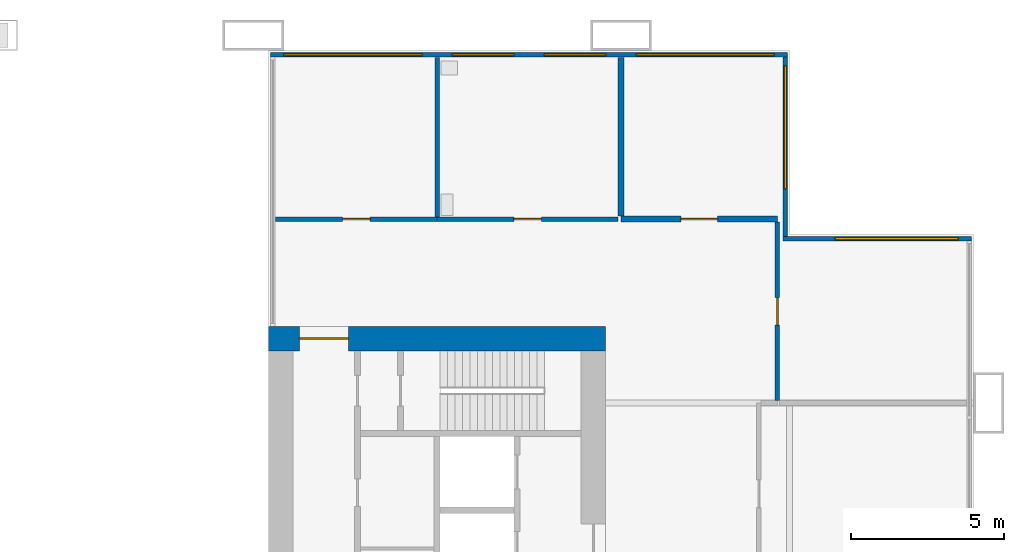
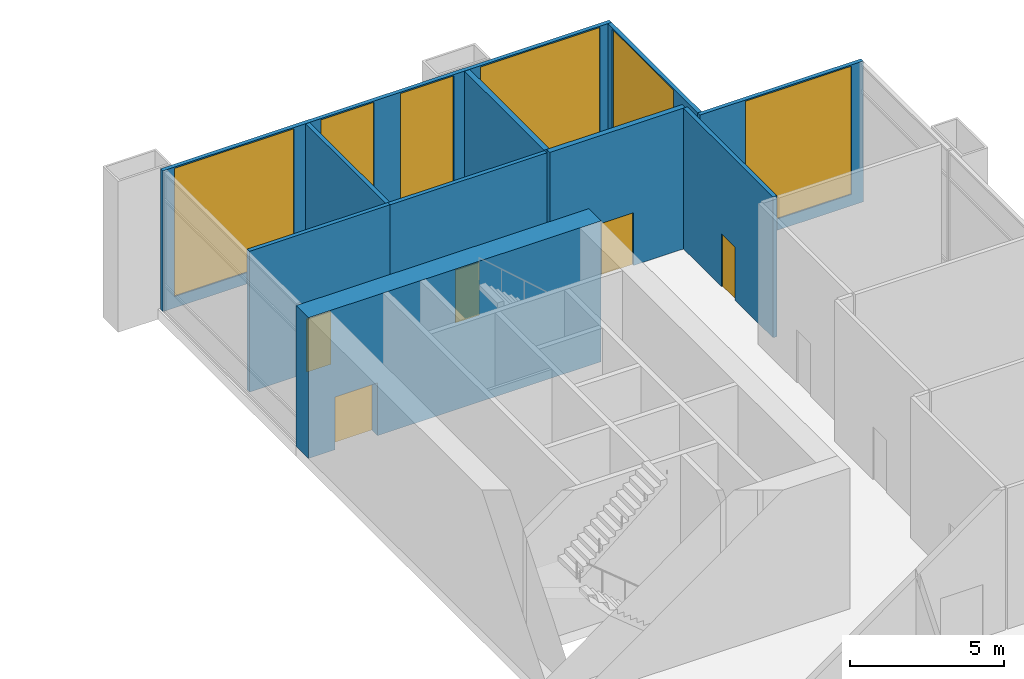
# One storey, part 22 of 25: 10 walls, 6 windows, 5 doors, 11 openings.
"""IFC4 building model written with IfcOpenShell, lengths in metres."""

from ifc_helpers import new_model, si_unit, direction, frame, frame_2d, origin, place, context, subcontext, project, spatial, rectangle, extrude, material, layer, layer_set, type_object, element, fill, save


model = new_model("IFC4")

# Units and contexts
model_context = context("Model", 3, precision=1e-05, world=origin(), true_north=direction((0.0, 1.0)))
body_context = subcontext(model_context, "Body", "Model", "MODEL_VIEW")
ifc_project = project(units=[si_unit("LENGTHUNIT", "METRE"), si_unit("AREAUNIT", "SQUARE_METRE"), si_unit("VOLUMEUNIT", "CUBIC_METRE"), si_unit("PLANEANGLEUNIT", "RADIAN"), si_unit("MASSUNIT", "GRAM", prefix="KILO")], contexts=[model_context])

# Site, building, storey
site_placement = place(None, origin())
site = spatial("IfcSite", under=ifc_project, at=site_placement, CompositionType="ELEMENT")
building_placement = place(site_placement, origin())
building = spatial("IfcBuilding", under=site, at=building_placement, Name="Kitamizu Gate Tower and Museum", CompositionType="ELEMENT")
storey_placement = place(building_placement, frame((0.0, 0.0, 18.0)))
storey = spatial("IfcBuildingStorey", under=building, at=storey_placement, Name="L03", CompositionType="ELEMENT", Elevation=18.0)

# Wall, opening, door
ifc_material_1 = material(Name="Concrete Fc60", Category="concrete")
ifc_layer_1 = layer(ifc_material_1, 0.800048828125)
ifc_layer_set_1 = layer_set([ifc_layer_1], Name="Concrete Fc60")
wall_type_1 = type_object("IfcWallType", Name="Core wall 800", PredefinedType="SHEAR", material=ifc_layer_set_1)
wall_1_placement = place(storey_placement, frame((59.5, 38.10009765625, 0.0), z_axis=(0.0, 0.0, 1.0), x_axis=(-1.0, 0.0, 0.0)))
wall_1 = element("IfcWall", 1, at=wall_1_placement, inside=storey, type_object=wall_type_1, Name="Core wall EN", PredefinedType="SHEAR", context=body_context, shape_type="SweptSolid", body=[
    extrude(rectangle(XDim=11.0, YDim=0.800048828125, at=frame_2d((5.5, 0.0))), origin(), (0.0, 0.0, 1.0), 5.60009765625),
])
opening_1_placement = place(wall_1_placement, frame((8.39990234375, 0.0, 0.0)))
opening_1 = element("IfcOpeningElement", 2, at=opening_1_placement, cuts=wall_1, Name="Opening L03-035", PredefinedType="OPENING", context=body_context, shape_type="SweptSolid", body=[
    extrude(rectangle(XDim=1.60009765625, YDim=2.10009765625, at=frame_2d((0.800048828125, 1.050048828125))), frame((0.0, 0.41015625, 0.0), z_axis=(0.0, -1.0, 0.0), x_axis=(1.0, 0.0, 0.0)), (0.0, 0.0, 1.0), 0.820068359375),
])
ifc_material_2 = material(Name="Timber door set", Category="wood")
door_type_1 = type_object("IfcDoorType", Name="Entrance door 1600", OperationType="DOUBLE_DOOR_SINGLE_SWING", PredefinedType="DOOR", material=ifc_material_2)
door_1_placement = place(opening_1_placement, origin())
door_1 = element("IfcDoor", 3, at=door_1_placement, inside=storey, type_object=door_type_1, Name="Lobby door L03-035", OperationType="DOUBLE_DOOR_SINGLE_SWING", OverallHeight=2.10009765625, OverallWidth=1.60009765625, PredefinedType="DOOR", context=body_context, shape_type="SweptSolid", body=[
    extrude(rectangle(XDim=1.60009765625, YDim=2.10009765625, at=frame_2d((0.800048828125, 1.050048828125))), frame((0.0, 0.02490234375, 0.0), z_axis=(0.0, -1.0, 0.0), x_axis=(1.0, 0.0, 0.0)), (0.0, 0.0, 1.0), 0.050048828125),
])
fill(opening_1, door_1)

ifc_material_3 = material(Name="Gypsum board on galvanised stud")
ifc_layer_2 = layer(ifc_material_3, 0.14990234375)
ifc_layer_set_2 = layer_set([ifc_layer_2], Name="Gypsum board on galvanised stud")
wall_type_2 = type_object("IfcWallType", Name="Partition 150", PredefinedType="PARTITIONING", material=ifc_layer_set_2)
wall_2_placement = place(storey_placement, frame((65.10009765625, 36.074951171875, 0.0), z_axis=(0.0, 0.0, 1.0), x_axis=(0.0, 1.0, 0.0)))
wall_2 = element("IfcWall", 4, at=wall_2_placement, inside=storey, type_object=wall_type_2, Name="Partition L03-020", PredefinedType="PARTITIONING", context=body_context, shape_type="SweptSolid", body=[
    extrude(rectangle(XDim=5.824951171875, YDim=0.14990234375, at=frame_2d((2.91259765625, 0.0))), origin(), (0.0, 0.0, 1.0), 5.60009765625),
])
opening_2_placement = place(wall_2_placement, frame((2.46240234375, 0.0, 0.0)))
opening_2 = element("IfcOpeningElement", 5, at=opening_2_placement, cuts=wall_2, Name="Opening L03-006", PredefinedType="OPENING", context=body_context, shape_type="SweptSolid", body=[
    extrude(rectangle(XDim=0.89990234375, YDim=2.10009765625, at=frame_2d((0.449951171875, 1.050048828125))), frame((0.0, 0.0849609375, 0.0), z_axis=(0.0, -1.0, 0.0), x_axis=(1.0, 0.0, 0.0)), (0.0, 0.0, 1.0), 0.169921875),
])
ifc_material_4 = material(Name="Timber door set", Category="wood")
door_type_2 = type_object("IfcDoorType", Name="Room door 900", OperationType="NOTDEFINED", PredefinedType="DOOR", material=ifc_material_4)
door_2_placement = place(opening_2_placement, frame((0.89990234375, 0.0, 0.0), x_axis=(-1.0, 0.0, 0.0)))
door_2 = element("IfcDoor", 6, at=door_2_placement, inside=storey, type_object=door_type_2, Name="Door L03-006", OperationType="SINGLE_SWING_RIGHT", OverallHeight=2.10009765625, OverallWidth=0.89990234375, PredefinedType="DOOR", context=body_context, shape_type="SweptSolid", body=[
    extrude(rectangle(XDim=0.89990234375, YDim=2.10009765625, at=frame_2d((0.449951171875, 1.050048828125))), frame((0.0, 0.02490234375, 0.0), z_axis=(0.0, -1.0, 0.0), x_axis=(1.0, 0.0, 0.0)), (0.0, 0.0, 1.0), 0.050048828125),
])
fill(opening_2, door_2)

wall_3_placement = place(storey_placement, frame((54.0, 42.0, 0.0), z_axis=(0.0, 0.0, 1.0), x_axis=(-1.0, 0.0, 0.0)))
wall_3 = element("IfcWall", 7, at=wall_3_placement, inside=storey, type_object=wall_type_2, Name="Partition L03-021", PredefinedType="PARTITIONING", context=body_context, shape_type="SweptSolid", body=[
    extrude(rectangle(XDim=5.280029296875, YDim=0.14990234375, at=frame_2d((2.64013671875, 0.0))), origin(), (0.0, 0.0, 1.0), 5.60009765625),
])
opening_3_placement = place(wall_3_placement, frame((2.18994140625, 0.0, 0.0)))
opening_3 = element("IfcOpeningElement", 8, at=opening_3_placement, cuts=wall_3, Name="Opening L03-007", PredefinedType="OPENING", context=body_context, shape_type="SweptSolid", body=[
    extrude(rectangle(XDim=0.89990234375, YDim=2.10009765625, at=frame_2d((0.449951171875, 1.050048828125))), frame((0.0, 0.0849609375, 0.0), z_axis=(0.0, -1.0, 0.0), x_axis=(1.0, 0.0, 0.0)), (0.0, 0.0, 1.0), 0.169921875),
])
door_3_placement = place(opening_3_placement, frame((0.89990234375, 0.0, 0.0), x_axis=(-1.0, 0.0, 0.0)))
door_3 = element("IfcDoor", 9, at=door_3_placement, inside=storey, type_object=door_type_2, Name="Door L03-007", OperationType="SINGLE_SWING_LEFT", OverallHeight=2.10009765625, OverallWidth=0.89990234375, PredefinedType="DOOR", context=body_context, shape_type="SweptSolid", body=[
    extrude(rectangle(XDim=0.89990234375, YDim=2.10009765625, at=frame_2d((0.449951171875, 1.050048828125))), frame((0.0, 0.02490234375, 0.0), z_axis=(0.0, -1.0, 0.0), x_axis=(1.0, 0.0, 0.0)), (0.0, 0.0, 1.0), 0.050048828125),
])
fill(opening_3, door_3)

wall_4_placement = place(storey_placement, frame((59.89990234375, 42.0, 0.0), z_axis=(0.0, 0.0, 1.0), x_axis=(-1.0, 0.0, 0.0)))
wall_4 = element("IfcWall", 10, at=wall_4_placement, inside=storey, type_object=wall_type_2, Name="Partition L03-022", PredefinedType="PARTITIONING", context=body_context, shape_type="SweptSolid", body=[
    extrude(rectangle(XDim=5.89990234375, YDim=0.14990234375, at=frame_2d((2.949951171875, 0.0))), origin(), (0.0, 0.0, 1.0), 5.60009765625),
])
opening_4_placement = place(wall_4_placement, frame((2.5, 0.0, 0.0)))
opening_4 = element("IfcOpeningElement", 11, at=opening_4_placement, cuts=wall_4, Name="Opening L03-008", PredefinedType="OPENING", context=body_context, shape_type="SweptSolid", body=[
    extrude(rectangle(XDim=0.89990234375, YDim=2.10009765625, at=frame_2d((0.449951171875, 1.050048828125))), frame((0.0, 0.0849609375, 0.0), z_axis=(0.0, -1.0, 0.0), x_axis=(1.0, 0.0, 0.0)), (0.0, 0.0, 1.0), 0.169921875),
])
door_4_placement = place(opening_4_placement, frame((0.89990234375, 0.0, 0.0), x_axis=(-1.0, 0.0, 0.0)))
door_4 = element("IfcDoor", 12, at=door_4_placement, inside=storey, type_object=door_type_2, Name="Door L03-008", OperationType="SINGLE_SWING_RIGHT", OverallHeight=2.10009765625, OverallWidth=0.89990234375, PredefinedType="DOOR", context=body_context, shape_type="SweptSolid", body=[
    extrude(rectangle(XDim=0.89990234375, YDim=2.10009765625, at=frame_2d((0.449951171875, 1.050048828125))), frame((0.0, 0.02490234375, 0.0), z_axis=(0.0, -1.0, 0.0), x_axis=(1.0, 0.0, 0.0)), (0.0, 0.0, 1.0), 0.050048828125),
])
fill(opening_4, door_4)

# Wall
wall_5_placement = place(storey_placement, frame((54.0, 42.074951171875, 0.0), z_axis=(0.0, 0.0, 1.0), x_axis=(0.0, 1.0, 0.0)))
element("IfcWall", 13, at=wall_5_placement, inside=storey, type_object=wall_type_2, Name="Partition L03-030", PredefinedType="PARTITIONING", context=body_context, shape_type="SweptSolid", body=[
    extrude(rectangle(XDim=5.205078125, YDim=0.14990234375, at=frame_2d((2.6025390625, 0.0))), origin(), (0.0, 0.0, 1.0), 5.60009765625),
])

# Wall, opening, door
ifc_material_5 = material(Name="Gypsum board on galvanised stud")
ifc_layer_3 = layer(ifc_material_5, 0.199951171875)
ifc_layer_set_3 = layer_set([ifc_layer_3], Name="Gypsum board on galvanised stud")
wall_type_3 = type_object("IfcWallType", Name="Partition 200", PredefinedType="PARTITIONING", material=ifc_layer_set_3)
wall_6_placement = place(storey_placement, frame((65.10009765625, 42.0, 0.0), z_axis=(0.0, 0.0, 1.0), x_axis=(-1.0, 0.0, 0.0)))
wall_6 = element("IfcWall", 14, at=wall_6_placement, inside=storey, type_object=wall_type_3, Name="Partition L03-023", PredefinedType="PARTITIONING", context=body_context, shape_type="SweptSolid", body=[
    extrude(rectangle(XDim=5.10009765625, YDim=0.199951171875, at=frame_2d((2.550048828125, 0.0))), origin(), (0.0, 0.0, 1.0), 5.60009765625),
])
opening_5_placement = place(wall_6_placement, frame((1.949951171875, 0.0, 0.0)))
opening_5 = element("IfcOpeningElement", 15, at=opening_5_placement, cuts=wall_6, Name="Opening L03-009", PredefinedType="OPENING", context=body_context, shape_type="SweptSolid", body=[
    extrude(rectangle(XDim=1.199951171875, YDim=2.10009765625, at=frame_2d((0.60009765625, 1.050048828125))), frame((0.0, 0.10986328125, 0.0), z_axis=(0.0, -1.0, 0.0), x_axis=(1.0, 0.0, 0.0)), (0.0, 0.0, 1.0), 0.219970703125),
])
ifc_material_6 = material(Name="Timber door set", Category="wood")
door_type_3 = type_object("IfcDoorType", Name="Plant room door 1200", OperationType="DOUBLE_DOOR_SINGLE_SWING", PredefinedType="DOOR", material=ifc_material_6)
door_5_placement = place(opening_5_placement, origin())
door_5 = element("IfcDoor", 16, at=door_5_placement, inside=storey, type_object=door_type_3, Name="Plant room door L03-009", OperationType="DOUBLE_DOOR_SINGLE_SWING", OverallHeight=2.10009765625, OverallWidth=1.199951171875, PredefinedType="DOOR", context=body_context, shape_type="SweptSolid", body=[
    extrude(rectangle(XDim=1.199951171875, YDim=2.10009765625, at=frame_2d((0.60009765625, 1.050048828125))), frame((0.0, 0.02490234375, 0.0), z_axis=(0.0, -1.0, 0.0), x_axis=(1.0, 0.0, 0.0)), (0.0, 0.0, 1.0), 0.050048828125),
])
fill(opening_5, door_5)

# Wall
wall_7_placement = place(storey_placement, frame((60.0, 42.10009765625, 0.0), z_axis=(0.0, 0.0, 1.0), x_axis=(0.0, 1.0, 0.0)))
element("IfcWall", 17, at=wall_7_placement, inside=storey, type_object=wall_type_3, Name="Partition L03-031", PredefinedType="PARTITIONING", context=body_context, shape_type="SweptSolid", body=[
    extrude(rectangle(XDim=5.179931640625, YDim=0.199951171875, at=frame_2d((2.58984375, 0.0))), origin(), (0.0, 0.0, 1.0), 5.60009765625),
])

# Wall, opening, window
ifc_material_7 = material(Name="Bronze anodised aluminium frame with insulated spandrel and tinted glass", Category="aluminium")
ifc_layer_4 = layer(ifc_material_7, 0.14990234375)
ifc_layer_set_4 = layer_set([ifc_layer_4], Name="Bronze anodised aluminium frame with insulated spandrel and tinted glass")
wall_type_4 = type_object("IfcWallType", Name="WINDOW WALL 150 BRONZE FRAME EI 60", PredefinedType="ELEMENTEDWALL", material=ifc_layer_set_4)
wall_8_placement = place(storey_placement, frame((65.2900390625, 41.364990234375, 0.0), z_axis=(0.0, 0.0, 1.0), x_axis=(1.0, 0.0, 0.0)))
wall_8 = element("IfcWall", 18, at=wall_8_placement, inside=storey, type_object=wall_type_4, Name="Window wall north L03", PredefinedType="ELEMENTEDWALL", context=body_context, shape_type="SweptSolid", body=[
    extrude(rectangle(XDim=6.14990234375, YDim=0.14990234375, at=frame_2d((3.074951171875, 0.0))), origin(), (0.0, 0.0, 1.0), 5.60009765625),
])
opening_6_placement = place(wall_8_placement, frame((1.7099609375, 0.0, 0.449951171875)))
opening_6 = element("IfcOpeningElement", 19, at=opening_6_placement, cuts=wall_8, Name="Opening W22", PredefinedType="OPENING", context=body_context, shape_type="SweptSolid", body=[
    extrude(rectangle(XDim=4.0, YDim=5.10009765625, at=frame_2d((2.0, 2.550048828125))), frame((0.0, 0.0849609375, 0.0), z_axis=(0.0, -1.0, 0.0), x_axis=(1.0, 0.0, 0.0)), (0.0, 0.0, 1.0), 0.169921875),
])
ifc_material_8 = material(Name="Bronze anodised aluminium frame, tinted triple glazing", Category="aluminium")
window_type_1 = type_object("IfcWindowType", Name="WINDOW 4000 x 5100 SILL 450", PartitioningType="SINGLE_PANEL", PredefinedType="WINDOW", material=ifc_material_8)
window_1_placement = place(opening_6_placement, origin())
window_1 = element("IfcWindow", 20, at=window_1_placement, inside=storey, type_object=window_type_1, Name="Window W22 L03", OverallHeight=5.10009765625, OverallWidth=4.0, PartitioningType="SINGLE_PANEL", PredefinedType="WINDOW", context=body_context, shape_type="SweptSolid", body=[
    extrude(rectangle(XDim=4.0, YDim=5.10009765625, at=frame_2d((2.0, 2.550048828125))), frame((0.0, 0.030029296875, 0.0), z_axis=(0.0, -1.0, 0.0), x_axis=(1.0, 0.0, 0.0)), (0.0, 0.0, 1.0), 0.06005859375),
])
fill(opening_6, window_1)

wall_9_placement = place(storey_placement, frame((65.364990234375, 41.43994140625, 0.0), z_axis=(0.0, 0.0, 1.0), x_axis=(0.0, 1.0, 0.0)))
wall_9 = element("IfcWall", 21, at=wall_9_placement, inside=storey, type_object=wall_type_4, Name="Window wall east L03", PredefinedType="ELEMENTEDWALL", context=body_context, shape_type="SweptSolid", body=[
    extrude(rectangle(XDim=5.85009765625, YDim=0.14990234375, at=frame_2d((2.925048828125, 0.0))), origin(), (0.0, 0.0, 1.0), 5.60009765625),
])
opening_7_placement = place(wall_9_placement, frame((1.56005859375, 0.0, 0.449951171875)))
opening_7 = element("IfcOpeningElement", 22, at=opening_7_placement, cuts=wall_9, Name="Opening W22", PredefinedType="OPENING", context=body_context, shape_type="SweptSolid", body=[
    extrude(rectangle(XDim=4.0, YDim=5.10009765625, at=frame_2d((2.0, 2.550048828125))), frame((0.0, 0.0849609375, 0.0), z_axis=(0.0, -1.0, 0.0), x_axis=(1.0, 0.0, 0.0)), (0.0, 0.0, 1.0), 0.169921875),
])
window_2_placement = place(opening_7_placement, origin())
window_2 = element("IfcWindow", 23, at=window_2_placement, inside=storey, type_object=window_type_1, Name="Window W22 L03", OverallHeight=5.10009765625, OverallWidth=4.0, PartitioningType="SINGLE_PANEL", PredefinedType="WINDOW", context=body_context, shape_type="SweptSolid", body=[
    extrude(rectangle(XDim=4.0, YDim=5.10009765625, at=frame_2d((2.0, 2.550048828125))), frame((0.0, 0.030029296875, 0.0), z_axis=(0.0, -1.0, 0.0), x_axis=(1.0, 0.0, 0.0)), (0.0, 0.0, 1.0), 0.06005859375),
])
fill(opening_7, window_2)

# Wall, openings, windows
wall_10_placement = place(storey_placement, frame((48.56005859375, 47.364990234375, 0.0), z_axis=(0.0, 0.0, 1.0), x_axis=(1.0, 0.0, 0.0)))
wall_10 = element("IfcWall", 24, at=wall_10_placement, inside=storey, type_object=wall_type_4, Name="Window wall north L03", PredefinedType="ELEMENTEDWALL", context=body_context, shape_type="SweptSolid", body=[
    extrude(rectangle(XDim=16.8798828125, YDim=0.14990234375, at=frame_2d((8.43994140625, 0.0))), origin(), (0.0, 0.0, 1.0), 5.60009765625),
])
opening_8_placement = place(wall_10_placement, frame((0.43994140625, 0.0, 0.449951171875)))
opening_8 = element("IfcOpeningElement", 25, at=opening_8_placement, cuts=wall_10, Name="Opening W21", PredefinedType="OPENING", context=body_context, shape_type="SweptSolid", body=[
    extrude(rectangle(XDim=4.5, YDim=5.10009765625, at=frame_2d((2.25, 2.550048828125))), frame((0.0, 0.0849609375, 0.0), z_axis=(0.0, -1.0, 0.0), x_axis=(1.0, 0.0, 0.0)), (0.0, 0.0, 1.0), 0.169921875),
])
opening_9_placement = place(wall_10_placement, frame((5.93994140625, 0.0, 0.449951171875)))
opening_9 = element("IfcOpeningElement", 26, at=opening_9_placement, cuts=wall_10, Name="Opening W8", PredefinedType="OPENING", context=body_context, shape_type="SweptSolid", body=[
    extrude(rectangle(XDim=2.0, YDim=5.10009765625, at=frame_2d((1.0, 2.550048828125))), frame((0.0, 0.0849609375, 0.0), z_axis=(0.0, -1.0, 0.0), x_axis=(1.0, 0.0, 0.0)), (0.0, 0.0, 1.0), 0.169921875),
])
opening_10_placement = place(wall_10_placement, frame((8.93994140625, 0.0, 0.449951171875)))
opening_10 = element("IfcOpeningElement", 27, at=opening_10_placement, cuts=wall_10, Name="Opening W8", PredefinedType="OPENING", context=body_context, shape_type="SweptSolid", body=[
    extrude(rectangle(XDim=2.0, YDim=5.10009765625, at=frame_2d((1.0, 2.550048828125))), frame((0.0, 0.0849609375, 0.0), z_axis=(0.0, -1.0, 0.0), x_axis=(1.0, 0.0, 0.0)), (0.0, 0.0, 1.0), 0.169921875),
])
opening_11_placement = place(wall_10_placement, frame((11.93994140625, 0.0, 0.449951171875)))
opening_11 = element("IfcOpeningElement", 28, at=opening_11_placement, cuts=wall_10, Name="Opening W21", PredefinedType="OPENING", context=body_context, shape_type="SweptSolid", body=[
    extrude(rectangle(XDim=4.5, YDim=5.10009765625, at=frame_2d((2.25, 2.550048828125))), frame((0.0, 0.0849609375, 0.0), z_axis=(0.0, -1.0, 0.0), x_axis=(1.0, 0.0, 0.0)), (0.0, 0.0, 1.0), 0.169921875),
])
ifc_material_9 = material(Name="Bronze anodised aluminium frame, tinted triple glazing", Category="aluminium")
window_type_2 = type_object("IfcWindowType", Name="WINDOW 2000 x 5100 SILL 450", PartitioningType="SINGLE_PANEL", PredefinedType="WINDOW", material=ifc_material_9)
window_3_placement = place(opening_9_placement, origin())
window_3 = element("IfcWindow", 29, at=window_3_placement, inside=storey, type_object=window_type_2, Name="Window W8 L03", OverallHeight=5.10009765625, OverallWidth=2.0, PartitioningType="SINGLE_PANEL", PredefinedType="WINDOW", context=body_context, shape_type="SweptSolid", body=[
    extrude(rectangle(XDim=2.0, YDim=5.10009765625, at=frame_2d((1.0, 2.550048828125))), frame((0.0, 0.030029296875, 0.0), z_axis=(0.0, -1.0, 0.0), x_axis=(1.0, 0.0, 0.0)), (0.0, 0.0, 1.0), 0.06005859375),
])
fill(opening_9, window_3)
window_4_placement = place(opening_10_placement, origin())
window_4 = element("IfcWindow", 30, at=window_4_placement, inside=storey, type_object=window_type_2, Name="Window W8 L03", OverallHeight=5.10009765625, OverallWidth=2.0, PartitioningType="SINGLE_PANEL", PredefinedType="WINDOW", context=body_context, shape_type="SweptSolid", body=[
    extrude(rectangle(XDim=2.0, YDim=5.10009765625, at=frame_2d((1.0, 2.550048828125))), frame((0.0, 0.030029296875, 0.0), z_axis=(0.0, -1.0, 0.0), x_axis=(1.0, 0.0, 0.0)), (0.0, 0.0, 1.0), 0.06005859375),
])
fill(opening_10, window_4)
ifc_material_10 = material(Name="Bronze anodised aluminium frame, tinted triple glazing", Category="aluminium")
window_type_3 = type_object("IfcWindowType", Name="WINDOW 4500 x 5100 SILL 450", PartitioningType="SINGLE_PANEL", PredefinedType="WINDOW", material=ifc_material_10)
window_5_placement = place(opening_8_placement, origin())
window_5 = element("IfcWindow", 31, at=window_5_placement, inside=storey, type_object=window_type_3, Name="Window W21 L03", OverallHeight=5.10009765625, OverallWidth=4.5, PartitioningType="SINGLE_PANEL", PredefinedType="WINDOW", context=body_context, shape_type="SweptSolid", body=[
    extrude(rectangle(XDim=4.5, YDim=5.10009765625, at=frame_2d((2.25, 2.550048828125))), frame((0.0, 0.030029296875, 0.0), z_axis=(0.0, -1.0, 0.0), x_axis=(1.0, 0.0, 0.0)), (0.0, 0.0, 1.0), 0.06005859375),
])
fill(opening_8, window_5)
window_6_placement = place(opening_11_placement, origin())
window_6 = element("IfcWindow", 32, at=window_6_placement, inside=storey, type_object=window_type_3, Name="Window W21 L03", OverallHeight=5.10009765625, OverallWidth=4.5, PartitioningType="SINGLE_PANEL", PredefinedType="WINDOW", context=body_context, shape_type="SweptSolid", body=[
    extrude(rectangle(XDim=4.5, YDim=5.10009765625, at=frame_2d((2.25, 2.550048828125))), frame((0.0, 0.030029296875, 0.0), z_axis=(0.0, -1.0, 0.0), x_axis=(1.0, 0.0, 0.0)), (0.0, 0.0, 1.0), 0.06005859375),
])
fill(opening_11, window_6)

save(model, "model.ifc")
